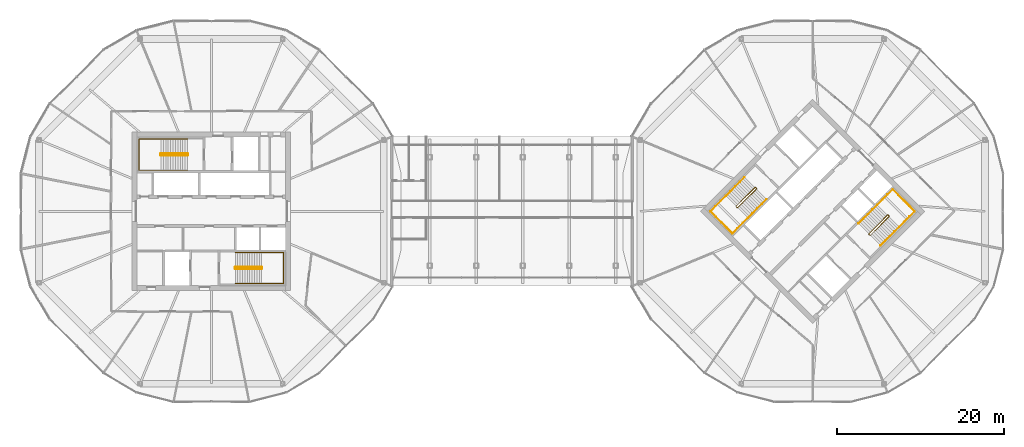
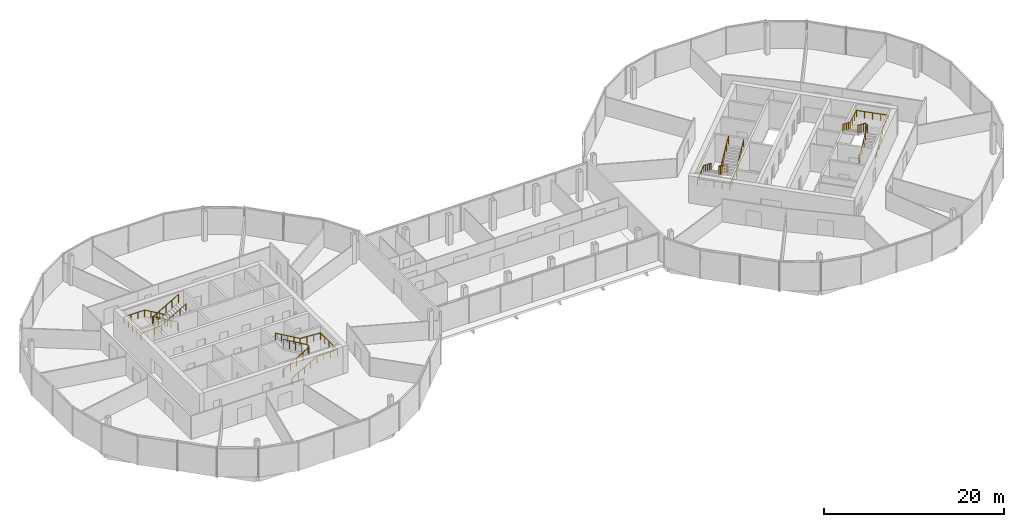
# One storey, part 25 of 25: 8 railings.
"""IFC4 building model written with IfcOpenShell, lengths in metres."""

from ifc_helpers import new_model, si_unit, direction, frame, origin, origin_2d, place, context, subcontext, project, spatial, circle, extrude, material, type_object, element, save


model = new_model("IFC4")

# Units and contexts
model_context = context("Model", 3, precision=1e-05, world=origin(), true_north=direction((0.0, 1.0)))
body_context = subcontext(model_context, "Body", "Model", "MODEL_VIEW")
ifc_project = project(units=[si_unit("LENGTHUNIT", "METRE"), si_unit("AREAUNIT", "SQUARE_METRE"), si_unit("VOLUMEUNIT", "CUBIC_METRE"), si_unit("PLANEANGLEUNIT", "RADIAN"), si_unit("MASSUNIT", "GRAM", prefix="KILO")], contexts=[model_context])

# Site, building, storey
site_placement = place(None, origin())
site = spatial("IfcSite", under=ifc_project, at=site_placement, CompositionType="ELEMENT")
building_placement = place(site_placement, origin())
building = spatial("IfcBuilding", under=site, at=building_placement, Name="Ogive Gate Towers", CompositionType="ELEMENT")
storey_placement = place(building_placement, frame((0.0, 0.0, 140.800048828125)))
storey = spatial("IfcBuildingStorey", under=building, at=storey_placement, Name="L33", CompositionType="ELEMENT", Elevation=140.800048828125)

# Railings
ifc_material = material(Name="Stainless steel", Category="steel")
railing_type_1 = type_object("IfcRailingType", Name="Stair guard 1100", PredefinedType="GUARDRAIL", material=ifc_material)
railing_1_placement = place(storey_placement, frame((-38.81494140625, 6.860107421875, 0.0)))
element("IfcRailing", 1, at=railing_1_placement, inside=storey, type_object=railing_type_1, Name="L33 ST1 stair guard 1", PredefinedType="GUARDRAIL", context=body_context, shape_type="SweptSolid", body=[
    extrude(circle(Radius=0.02392578125, at=origin_2d()), frame((0.0, 0.0, 1.076171875), z_axis=(0.0, -1.0, 0.0), x_axis=(1.0, 0.0, 0.0)), (0.0, 0.0, 1.0), 0.14501953125),
    extrude(circle(Radius=0.02392578125, at=origin_2d()), frame((0.0, -0.14501953125, 1.076171875), z_axis=(-0.19166807023, 0.746103024601, 0.637646945837), x_axis=(-0.968551454522, -0.24881334358, 0.0)), (0.0, 0.0, 1.0), 0.26123046875),
    extrude(circle(Radius=0.02392578125, at=origin_2d()), frame((-0.050048828125, 0.0498046875, 1.24267578125), z_axis=(-0.86512740231, 0.0, 0.501552168546), x_axis=(0.0, -1.0, 0.0)), (0.0, 0.0, 1.0), 3.65576171875),
    extrude(circle(Radius=0.02392578125, at=origin_2d()), frame((-3.212646484375, 0.0498046875, 3.076171875), z_axis=(-0.707106781187, -0.707106781187, 0.0), x_axis=(0.707106781187, -0.707106781187, 0.0)), (0.0, 0.0, 1.0), 0.0703125),
    extrude(circle(Radius=0.02392578125, at=origin_2d()), frame((-3.262451171875, 0.0, 3.076171875), z_axis=(0.0, -1.0, 0.0), x_axis=(1.0, 0.0, 0.0)), (0.0, 0.0, 1.0), 0.14501953125),
    extrude(circle(Radius=0.02392578125, at=origin_2d()), frame((-3.262451171875, -0.14501953125, 3.076171875), z_axis=(0.275382897532, -0.276732813696, 0.920642824102), x_axis=(0.708833529934, 0.705375805398, 0.0)), (0.0, 0.0, 1.0), 0.180908203125),
    extrude(circle(Radius=0.02392578125, at=origin_2d()), frame((-3.212646484375, -0.195068359375, 3.24267578125), z_axis=(0.86512740231, 0.0, 0.501552168546), x_axis=(0.0, 1.0, 0.0)), (0.0, 0.0, 1.0), 3.65576171875),
    extrude(circle(Radius=0.02099609375, at=origin_2d()), origin(), (0.0, 0.0, 1.0), 1.052001953125),
    extrude(circle(Radius=0.02099609375, at=origin_2d()), frame((0.0, -0.14501953125, 0.0)), (0.0, 0.0, 1.0), 1.052001953125),
    extrude(circle(Radius=0.02099609375, at=origin_2d()), frame((-0.050048828125, 0.0498046875, 0.16650390625)), (0.0, 0.0, 1.0), 1.052001953125),
    extrude(circle(Radius=0.02099609375, at=origin_2d()), frame((-0.8408203125, 0.0498046875, 0.625)), (0.0, 0.0, 1.0), 1.052001953125),
    extrude(circle(Radius=0.02099609375, at=origin_2d()), frame((-1.63134765625, 0.0498046875, 1.083251953125)), (0.0, 0.0, 1.0), 1.052001953125),
    extrude(circle(Radius=0.02099609375, at=origin_2d()), frame((-2.421875, 0.0498046875, 1.54150390625)), (0.0, 0.0, 1.0), 1.052001953125),
    extrude(circle(Radius=0.02099609375, at=origin_2d()), frame((-3.212646484375, 0.0498046875, 2.0)), (0.0, 0.0, 1.0), 1.052001953125),
    extrude(circle(Radius=0.02099609375, at=origin_2d()), frame((-3.262451171875, 0.0, 2.0)), (0.0, 0.0, 1.0), 1.052001953125),
    extrude(circle(Radius=0.02099609375, at=origin_2d()), frame((-3.262451171875, -0.14501953125, 2.0)), (0.0, 0.0, 1.0), 1.052001953125),
    extrude(circle(Radius=0.02099609375, at=origin_2d()), frame((-3.212646484375, -0.195068359375, 2.16650390625)), (0.0, 0.0, 1.0), 1.052001953125),
    extrude(circle(Radius=0.02099609375, at=origin_2d()), frame((-2.421875, -0.195068359375, 2.625)), (0.0, 0.0, 1.0), 1.052001953125),
    extrude(circle(Radius=0.02099609375, at=origin_2d()), frame((-1.63134765625, -0.195068359375, 3.083251953125)), (0.0, 0.0, 1.0), 1.052001953125),
    extrude(circle(Radius=0.02099609375, at=origin_2d()), frame((-0.8408203125, -0.195068359375, 3.54150390625)), (0.0, 0.0, 1.0), 1.052001953125),
    extrude(circle(Radius=0.02099609375, at=origin_2d()), frame((-0.050048828125, -0.195068359375, 4.0)), (0.0, 0.0, 1.0), 1.052001953125),
])
railing_2_placement = place(storey_placement, frame((-33.18505859375, -6.860107421875, 0.0)))
element("IfcRailing", 2, at=railing_2_placement, inside=storey, type_object=railing_type_1, Name="L33 ST2 stair guard 1", PredefinedType="GUARDRAIL", context=body_context, shape_type="SweptSolid", body=[
    extrude(circle(Radius=0.02392578125, at=origin_2d()), frame((0.0, 0.0, 1.076171875), z_axis=(0.0, 1.0, 0.0), x_axis=(-1.0, 0.0, 0.0)), (0.0, 0.0, 1.0), 0.14501953125),
    extrude(circle(Radius=0.02392578125, at=origin_2d()), frame((0.0, 0.14501953125, 1.076171875), z_axis=(0.19166807023, -0.746103024601, 0.637646945837), x_axis=(0.968551454522, 0.24881334358, 0.0)), (0.0, 0.0, 1.0), 0.26123046875),
    extrude(circle(Radius=0.02392578125, at=origin_2d()), frame((0.050048828125, -0.0498046875, 1.24267578125), z_axis=(0.86512740231, 0.0, 0.501552168546), x_axis=(0.0, 1.0, 0.0)), (0.0, 0.0, 1.0), 3.65576171875),
    extrude(circle(Radius=0.02392578125, at=origin_2d()), frame((3.212646484375, -0.0498046875, 3.076171875), z_axis=(0.707106781187, 0.707106781187, 0.0), x_axis=(-0.707106781187, 0.707106781187, 0.0)), (0.0, 0.0, 1.0), 0.0703125),
    extrude(circle(Radius=0.02392578125, at=origin_2d()), frame((3.262451171875, 0.0, 3.076171875), z_axis=(0.0, 1.0, 0.0), x_axis=(-1.0, 0.0, 0.0)), (0.0, 0.0, 1.0), 0.14501953125),
    extrude(circle(Radius=0.02392578125, at=origin_2d()), frame((3.262451171875, 0.14501953125, 3.076171875), z_axis=(-0.275382897532, 0.276732813696, 0.920642824102), x_axis=(-0.708833529934, -0.705375805398, 0.0)), (0.0, 0.0, 1.0), 0.180908203125),
    extrude(circle(Radius=0.02392578125, at=origin_2d()), frame((3.212646484375, 0.195068359375, 3.24267578125), z_axis=(-0.86512740231, 0.0, 0.501552168546), x_axis=(0.0, -1.0, 0.0)), (0.0, 0.0, 1.0), 3.65576171875),
    extrude(circle(Radius=0.02099609375, at=origin_2d()), origin(), (0.0, 0.0, 1.0), 1.052001953125),
    extrude(circle(Radius=0.02099609375, at=origin_2d()), frame((0.0, 0.14501953125, 0.0)), (0.0, 0.0, 1.0), 1.052001953125),
    extrude(circle(Radius=0.02099609375, at=origin_2d()), frame((0.050048828125, -0.0498046875, 0.16650390625)), (0.0, 0.0, 1.0), 1.052001953125),
    extrude(circle(Radius=0.02099609375, at=origin_2d()), frame((0.8408203125, -0.0498046875, 0.625)), (0.0, 0.0, 1.0), 1.052001953125),
    extrude(circle(Radius=0.02099609375, at=origin_2d()), frame((1.63134765625, -0.0498046875, 1.083251953125)), (0.0, 0.0, 1.0), 1.052001953125),
    extrude(circle(Radius=0.02099609375, at=origin_2d()), frame((2.421875, -0.0498046875, 1.54150390625)), (0.0, 0.0, 1.0), 1.052001953125),
    extrude(circle(Radius=0.02099609375, at=origin_2d()), frame((3.212646484375, -0.0498046875, 2.0)), (0.0, 0.0, 1.0), 1.052001953125),
    extrude(circle(Radius=0.02099609375, at=origin_2d()), frame((3.262451171875, 0.0, 2.0)), (0.0, 0.0, 1.0), 1.052001953125),
    extrude(circle(Radius=0.02099609375, at=origin_2d()), frame((3.262451171875, 0.14501953125, 2.0)), (0.0, 0.0, 1.0), 1.052001953125),
    extrude(circle(Radius=0.02099609375, at=origin_2d()), frame((3.212646484375, 0.195068359375, 2.16650390625)), (0.0, 0.0, 1.0), 1.052001953125),
    extrude(circle(Radius=0.02099609375, at=origin_2d()), frame((2.421875, 0.195068359375, 2.625)), (0.0, 0.0, 1.0), 1.052001953125),
    extrude(circle(Radius=0.02099609375, at=origin_2d()), frame((1.63134765625, 0.195068359375, 3.083251953125)), (0.0, 0.0, 1.0), 1.052001953125),
    extrude(circle(Radius=0.02099609375, at=origin_2d()), frame((0.8408203125, 0.195068359375, 3.54150390625)), (0.0, 0.0, 1.0), 1.052001953125),
    extrude(circle(Radius=0.02099609375, at=origin_2d()), frame((0.050048828125, 0.195068359375, 4.0)), (0.0, 0.0, 1.0), 1.052001953125),
])
railing_3_placement = place(storey_placement, frame((29.15869140625, 2.8603515625, 0.0)))
element("IfcRailing", 3, at=railing_3_placement, inside=storey, type_object=railing_type_1, Name="L33 ST1 stair guard 1", PredefinedType="GUARDRAIL", context=body_context, shape_type="SweptSolid", body=[
    extrude(circle(Radius=0.02392578125, at=origin_2d()), frame((0.0, 0.0, 1.076171875), z_axis=(0.707106781187, -0.707106781187, 0.0), x_axis=(0.707106781187, 0.707106781187, 0.0)), (0.0, 0.0, 1.0), 0.14501953125),
    extrude(circle(Radius=0.02392578125, at=origin_2d()), frame((0.1025390625, -0.1025390625, 1.076171875), z_axis=(-0.662818031471, 0.39264255743, 0.637576724208), x_axis=(-0.509669330572, -0.860370369942, 0.0)), (0.0, 0.0, 1.0), 0.26123046875),
    extrude(circle(Radius=0.02392578125, at=origin_2d()), frame((-0.070556640625, 0.0, 1.24267578125), z_axis=(-0.611739783828, -0.611739783828, 0.501546482156), x_axis=(0.707106781187, -0.707106781187, 0.0)), (0.0, 0.0, 1.0), 3.65576171875),
    extrude(circle(Radius=0.02392578125, at=origin_2d()), frame((-2.306884765625, -2.236328125, 3.076171875), z_axis=(0.0, -1.0, 0.0), x_axis=(1.0, 0.0, 0.0)), (0.0, 0.0, 1.0), 0.07080078125),
    extrude(circle(Radius=0.02392578125, at=origin_2d()), frame((-2.306884765625, -2.30712890625, 3.076171875), z_axis=(0.707106781187, -0.707106781187, 0.0), x_axis=(0.707106781187, 0.707106781187, 0.0)), (0.0, 0.0, 1.0), 0.14501953125),
    extrude(circle(Radius=0.02392578125, at=origin_2d()), frame((-2.204345703125, -2.40966796875, 3.076171875), z_axis=(0.391312070548, 0.0, 0.920258041771), x_axis=(0.0, 1.0, 0.0)), (0.0, 0.0, 1.0), 0.180908203125),
    extrude(circle(Radius=0.02392578125, at=origin_2d()), frame((-2.133544921875, -2.40966796875, 3.24267578125), z_axis=(0.61169798966, 0.611764776208, 0.501566972633), x_axis=(-0.707145379772, 0.707068180494, 0.0)), (0.0, 0.0, 1.0), 3.655517578125),
    extrude(circle(Radius=0.02099609375, at=origin_2d()), origin(), (0.0, 0.0, 1.0), 1.052001953125),
    extrude(circle(Radius=0.02099609375, at=origin_2d()), frame((0.1025390625, -0.1025390625, 0.0)), (0.0, 0.0, 1.0), 1.052001953125),
    extrude(circle(Radius=0.02099609375, at=origin_2d()), frame((-0.070556640625, 0.0, 0.16650390625)), (0.0, 0.0, 1.0), 1.052001953125),
    extrude(circle(Radius=0.02099609375, at=origin_2d()), frame((-0.629638671875, -0.55908203125, 0.625)), (0.0, 0.0, 1.0), 1.052001953125),
    extrude(circle(Radius=0.02099609375, at=origin_2d()), frame((-1.188720703125, -1.1181640625, 1.083251953125)), (0.0, 0.0, 1.0), 1.052001953125),
    extrude(circle(Radius=0.02099609375, at=origin_2d()), frame((-1.747802734375, -1.67724609375, 1.54150390625)), (0.0, 0.0, 1.0), 1.052001953125),
    extrude(circle(Radius=0.02099609375, at=origin_2d()), frame((-2.306884765625, -2.236328125, 2.0)), (0.0, 0.0, 1.0), 1.052001953125),
    extrude(circle(Radius=0.02099609375, at=origin_2d()), frame((-2.306884765625, -2.30712890625, 2.0)), (0.0, 0.0, 1.0), 1.052001953125),
    extrude(circle(Radius=0.02099609375, at=origin_2d()), frame((-2.204345703125, -2.40966796875, 2.0)), (0.0, 0.0, 1.0), 1.052001953125),
    extrude(circle(Radius=0.02099609375, at=origin_2d()), frame((-2.133544921875, -2.40966796875, 2.16650390625)), (0.0, 0.0, 1.0), 1.052001953125),
    extrude(circle(Radius=0.02099609375, at=origin_2d()), frame((-1.574462890625, -1.8505859375, 2.625)), (0.0, 0.0, 1.0), 1.052001953125),
    extrude(circle(Radius=0.02099609375, at=origin_2d()), frame((-1.015625, -1.29150390625, 3.083251953125)), (0.0, 0.0, 1.0), 1.052001953125),
    extrude(circle(Radius=0.02099609375, at=origin_2d()), frame((-0.45654296875, -0.732421875, 3.54150390625)), (0.0, 0.0, 1.0), 1.052001953125),
    extrude(circle(Radius=0.02099609375, at=origin_2d()), frame((0.1025390625, -0.17333984375, 4.0)), (0.0, 0.0, 1.0), 1.052001953125),
])
railing_4_placement = place(storey_placement, frame((42.84130859375, -2.8603515625, 0.0)))
element("IfcRailing", 4, at=railing_4_placement, inside=storey, type_object=railing_type_1, Name="L33 ST2 stair guard 1", PredefinedType="GUARDRAIL", context=body_context, shape_type="SweptSolid", body=[
    extrude(circle(Radius=0.02392578125, at=origin_2d()), frame((0.0, 0.0, 1.076171875), z_axis=(-0.707106781187, 0.707106781187, 0.0), x_axis=(-0.707106781187, -0.707106781187, 0.0)), (0.0, 0.0, 1.0), 0.14501953125),
    extrude(circle(Radius=0.02392578125, at=origin_2d()), frame((-0.1025390625, 0.1025390625, 1.076171875), z_axis=(0.662818031471, -0.39264255743, 0.637576724208), x_axis=(0.509669330572, 0.860370369942, 0.0)), (0.0, 0.0, 1.0), 0.26123046875),
    extrude(circle(Radius=0.02392578125, at=origin_2d()), frame((0.070556640625, 0.0, 1.24267578125), z_axis=(0.611739783828, 0.611739783828, 0.501546482156), x_axis=(-0.707106781187, 0.707106781187, 0.0)), (0.0, 0.0, 1.0), 3.65576171875),
    extrude(circle(Radius=0.02392578125, at=origin_2d()), frame((2.306884765625, 2.236328125, 3.076171875), z_axis=(0.0, 1.0, 0.0), x_axis=(-1.0, 0.0, 0.0)), (0.0, 0.0, 1.0), 0.07080078125),
    extrude(circle(Radius=0.02392578125, at=origin_2d()), frame((2.306884765625, 2.30712890625, 3.076171875), z_axis=(-0.707106781187, 0.707106781187, 0.0), x_axis=(-0.707106781187, -0.707106781187, 0.0)), (0.0, 0.0, 1.0), 0.14501953125),
    extrude(circle(Radius=0.02392578125, at=origin_2d()), frame((2.204345703125, 2.40966796875, 3.076171875), z_axis=(-0.391312070548, 0.0, 0.920258041771), x_axis=(0.0, -1.0, 0.0)), (0.0, 0.0, 1.0), 0.180908203125),
    extrude(circle(Radius=0.02392578125, at=origin_2d()), frame((2.133544921875, 2.40966796875, 3.24267578125), z_axis=(-0.61169798966, -0.611764776208, 0.501566972633), x_axis=(0.707145379772, -0.707068180494, 0.0)), (0.0, 0.0, 1.0), 3.655517578125),
    extrude(circle(Radius=0.02099609375, at=origin_2d()), origin(), (0.0, 0.0, 1.0), 1.052001953125),
    extrude(circle(Radius=0.02099609375, at=origin_2d()), frame((-0.1025390625, 0.1025390625, 0.0)), (0.0, 0.0, 1.0), 1.052001953125),
    extrude(circle(Radius=0.02099609375, at=origin_2d()), frame((0.070556640625, 0.0, 0.16650390625)), (0.0, 0.0, 1.0), 1.052001953125),
    extrude(circle(Radius=0.02099609375, at=origin_2d()), frame((0.629638671875, 0.55908203125, 0.625)), (0.0, 0.0, 1.0), 1.052001953125),
    extrude(circle(Radius=0.02099609375, at=origin_2d()), frame((1.188720703125, 1.1181640625, 1.083251953125)), (0.0, 0.0, 1.0), 1.052001953125),
    extrude(circle(Radius=0.02099609375, at=origin_2d()), frame((1.747802734375, 1.67724609375, 1.54150390625)), (0.0, 0.0, 1.0), 1.052001953125),
    extrude(circle(Radius=0.02099609375, at=origin_2d()), frame((2.306884765625, 2.236328125, 2.0)), (0.0, 0.0, 1.0), 1.052001953125),
    extrude(circle(Radius=0.02099609375, at=origin_2d()), frame((2.306884765625, 2.30712890625, 2.0)), (0.0, 0.0, 1.0), 1.052001953125),
    extrude(circle(Radius=0.02099609375, at=origin_2d()), frame((2.204345703125, 2.40966796875, 2.0)), (0.0, 0.0, 1.0), 1.052001953125),
    extrude(circle(Radius=0.02099609375, at=origin_2d()), frame((2.133544921875, 2.40966796875, 2.16650390625)), (0.0, 0.0, 1.0), 1.052001953125),
    extrude(circle(Radius=0.02099609375, at=origin_2d()), frame((1.574462890625, 1.8505859375, 2.625)), (0.0, 0.0, 1.0), 1.052001953125),
    extrude(circle(Radius=0.02099609375, at=origin_2d()), frame((1.015625, 1.29150390625, 3.083251953125)), (0.0, 0.0, 1.0), 1.052001953125),
    extrude(circle(Radius=0.02099609375, at=origin_2d()), frame((0.45654296875, 0.732421875, 3.54150390625)), (0.0, 0.0, 1.0), 1.052001953125),
    extrude(circle(Radius=0.02099609375, at=origin_2d()), frame((-0.1025390625, 0.17333984375, 4.0)), (0.0, 0.0, 1.0), 1.052001953125),
])
railing_type_2 = type_object("IfcRailingType", Name="Stair handrail 900", PredefinedType="HANDRAIL", material=ifc_material)
railing_5_placement = place(storey_placement, frame((-38.864990234375, 8.64990234375, 0.16650390625)))
element("IfcRailing", 5, at=railing_5_placement, inside=storey, type_object=railing_type_2, Name="L33 ST1 stair handrail 1", PredefinedType="HANDRAIL", context=body_context, shape_type="SweptSolid", body=[
    extrude(circle(Radius=0.02392578125, at=origin_2d()), frame((0.0, 0.0, 0.8759765625), z_axis=(-0.86512740231, 0.0, 0.501552168546), x_axis=(0.0, -1.0, 0.0)), (0.0, 0.0, 1.0), 3.65576171875),
    extrude(circle(Radius=0.02392578125, at=origin_2d()), frame((-3.16259765625, 0.0, 2.70947265625), z_axis=(-1.0, 0.0, 0.0), x_axis=(0.0, -1.0, 0.0)), (0.0, 0.0, 1.0), 2.622314453125),
    extrude(circle(Radius=0.02392578125, at=origin_2d()), frame((-5.784912109375, 0.0, 2.70947265625), z_axis=(0.0, -1.0, 0.0), x_axis=(1.0, 0.0, 0.0)), (0.0, 0.0, 1.0), 3.724853515625),
    extrude(circle(Radius=0.02392578125, at=origin_2d()), frame((-5.784912109375, -3.724853515625, 2.70947265625), z_axis=(0.997990266097, 0.0, 0.063367410993), x_axis=(0.0, 1.0, 0.0)), (0.0, 0.0, 1.0), 2.627685546875),
    extrude(circle(Radius=0.02392578125, at=origin_2d()), frame((-3.16259765625, -3.724853515625, 2.8759765625), z_axis=(0.86512740231, 0.0, 0.501552168546), x_axis=(0.0, 1.0, 0.0)), (0.0, 0.0, 1.0), 3.65576171875),
    extrude(circle(Radius=0.02099609375, at=origin_2d()), origin(), (0.0, 0.0, 1.0), 0.851806640625),
    extrude(circle(Radius=0.02099609375, at=origin_2d()), frame((-0.79052734375, 0.0, 0.45849609375)), (0.0, 0.0, 1.0), 0.851806640625),
    extrude(circle(Radius=0.02099609375, at=origin_2d()), frame((-1.581298828125, 0.0, 0.916748046875)), (0.0, 0.0, 1.0), 0.851806640625),
    extrude(circle(Radius=0.02099609375, at=origin_2d()), frame((-2.3720703125, 0.0, 1.375)), (0.0, 0.0, 1.0), 0.851806640625),
    extrude(circle(Radius=0.02099609375, at=origin_2d()), frame((-3.16259765625, 0.0, 1.83349609375)), (0.0, 0.0, 1.0), 0.851806640625),
    extrude(circle(Radius=0.02099609375, at=origin_2d()), frame((-4.03662109375, 0.0, 1.83349609375)), (0.0, 0.0, 1.0), 0.851806640625),
    extrude(circle(Radius=0.02099609375, at=origin_2d()), frame((-4.910888671875, 0.0, 1.83349609375)), (0.0, 0.0, 1.0), 0.851806640625),
    extrude(circle(Radius=0.02099609375, at=origin_2d()), frame((-5.784912109375, 0.0, 1.83349609375)), (0.0, 0.0, 1.0), 0.851806640625),
    extrude(circle(Radius=0.02099609375, at=origin_2d()), frame((-5.784912109375, -0.93115234375, 1.83349609375)), (0.0, 0.0, 1.0), 0.851806640625),
    extrude(circle(Radius=0.02099609375, at=origin_2d()), frame((-5.784912109375, -1.8623046875, 1.83349609375)), (0.0, 0.0, 1.0), 0.851806640625),
    extrude(circle(Radius=0.02099609375, at=origin_2d()), frame((-5.784912109375, -2.793701171875, 1.83349609375)), (0.0, 0.0, 1.0), 0.851806640625),
    extrude(circle(Radius=0.02099609375, at=origin_2d()), frame((-5.784912109375, -3.724853515625, 1.83349609375)), (0.0, 0.0, 1.0), 0.851806640625),
    extrude(circle(Radius=0.02099609375, at=origin_2d()), frame((-4.910888671875, -3.724853515625, 1.888916015625)), (0.0, 0.0, 1.0), 0.851806640625),
    extrude(circle(Radius=0.02099609375, at=origin_2d()), frame((-4.03662109375, -3.724853515625, 1.944580078125)), (0.0, 0.0, 1.0), 0.851806640625),
    extrude(circle(Radius=0.02099609375, at=origin_2d()), frame((-3.16259765625, -3.724853515625, 2.0)), (0.0, 0.0, 1.0), 0.851806640625),
    extrude(circle(Radius=0.02099609375, at=origin_2d()), frame((-2.3720703125, -3.724853515625, 2.45849609375)), (0.0, 0.0, 1.0), 0.851806640625),
    extrude(circle(Radius=0.02099609375, at=origin_2d()), frame((-1.581298828125, -3.724853515625, 2.916748046875)), (0.0, 0.0, 1.0), 0.851806640625),
    extrude(circle(Radius=0.02099609375, at=origin_2d()), frame((-0.79052734375, -3.724853515625, 3.375)), (0.0, 0.0, 1.0), 0.851806640625),
    extrude(circle(Radius=0.02099609375, at=origin_2d()), frame((0.0, -3.724853515625, 3.83349609375)), (0.0, 0.0, 1.0), 0.851806640625),
])
railing_6_placement = place(storey_placement, frame((-33.135009765625, -8.64990234375, 0.16650390625)))
element("IfcRailing", 6, at=railing_6_placement, inside=storey, type_object=railing_type_2, Name="L33 ST2 stair handrail 1", PredefinedType="HANDRAIL", context=body_context, shape_type="SweptSolid", body=[
    extrude(circle(Radius=0.02392578125, at=origin_2d()), frame((0.0, 0.0, 0.8759765625), z_axis=(0.86512740231, 0.0, 0.501552168546), x_axis=(0.0, 1.0, 0.0)), (0.0, 0.0, 1.0), 3.65576171875),
    extrude(circle(Radius=0.02392578125, at=origin_2d()), frame((3.16259765625, 0.0, 2.70947265625), z_axis=(1.0, 0.0, 0.0), x_axis=(0.0, 1.0, 0.0)), (0.0, 0.0, 1.0), 2.622314453125),
    extrude(circle(Radius=0.02392578125, at=origin_2d()), frame((5.784912109375, 0.0, 2.70947265625), z_axis=(0.0, 1.0, 0.0), x_axis=(-1.0, 0.0, 0.0)), (0.0, 0.0, 1.0), 3.724853515625),
    extrude(circle(Radius=0.02392578125, at=origin_2d()), frame((5.784912109375, 3.724853515625, 2.70947265625), z_axis=(-0.997990266097, 0.0, 0.063367410993), x_axis=(0.0, -1.0, 0.0)), (0.0, 0.0, 1.0), 2.627685546875),
    extrude(circle(Radius=0.02392578125, at=origin_2d()), frame((3.16259765625, 3.724853515625, 2.8759765625), z_axis=(-0.86512740231, 0.0, 0.501552168546), x_axis=(0.0, -1.0, 0.0)), (0.0, 0.0, 1.0), 3.65576171875),
    extrude(circle(Radius=0.02099609375, at=origin_2d()), origin(), (0.0, 0.0, 1.0), 0.851806640625),
    extrude(circle(Radius=0.02099609375, at=origin_2d()), frame((0.79052734375, 0.0, 0.45849609375)), (0.0, 0.0, 1.0), 0.851806640625),
    extrude(circle(Radius=0.02099609375, at=origin_2d()), frame((1.581298828125, 0.0, 0.916748046875)), (0.0, 0.0, 1.0), 0.851806640625),
    extrude(circle(Radius=0.02099609375, at=origin_2d()), frame((2.3720703125, 0.0, 1.375)), (0.0, 0.0, 1.0), 0.851806640625),
    extrude(circle(Radius=0.02099609375, at=origin_2d()), frame((3.16259765625, 0.0, 1.83349609375)), (0.0, 0.0, 1.0), 0.851806640625),
    extrude(circle(Radius=0.02099609375, at=origin_2d()), frame((4.03662109375, 0.0, 1.83349609375)), (0.0, 0.0, 1.0), 0.851806640625),
    extrude(circle(Radius=0.02099609375, at=origin_2d()), frame((4.910888671875, 0.0, 1.83349609375)), (0.0, 0.0, 1.0), 0.851806640625),
    extrude(circle(Radius=0.02099609375, at=origin_2d()), frame((5.784912109375, 0.0, 1.83349609375)), (0.0, 0.0, 1.0), 0.851806640625),
    extrude(circle(Radius=0.02099609375, at=origin_2d()), frame((5.784912109375, 0.93115234375, 1.83349609375)), (0.0, 0.0, 1.0), 0.851806640625),
    extrude(circle(Radius=0.02099609375, at=origin_2d()), frame((5.784912109375, 1.8623046875, 1.83349609375)), (0.0, 0.0, 1.0), 0.851806640625),
    extrude(circle(Radius=0.02099609375, at=origin_2d()), frame((5.784912109375, 2.793701171875, 1.83349609375)), (0.0, 0.0, 1.0), 0.851806640625),
    extrude(circle(Radius=0.02099609375, at=origin_2d()), frame((5.784912109375, 3.724853515625, 1.83349609375)), (0.0, 0.0, 1.0), 0.851806640625),
    extrude(circle(Radius=0.02099609375, at=origin_2d()), frame((4.910888671875, 3.724853515625, 1.888916015625)), (0.0, 0.0, 1.0), 0.851806640625),
    extrude(circle(Radius=0.02099609375, at=origin_2d()), frame((4.03662109375, 3.724853515625, 1.944580078125)), (0.0, 0.0, 1.0), 0.851806640625),
    extrude(circle(Radius=0.02099609375, at=origin_2d()), frame((3.16259765625, 3.724853515625, 2.0)), (0.0, 0.0, 1.0), 0.851806640625),
    extrude(circle(Radius=0.02099609375, at=origin_2d()), frame((2.3720703125, 3.724853515625, 2.45849609375)), (0.0, 0.0, 1.0), 0.851806640625),
    extrude(circle(Radius=0.02099609375, at=origin_2d()), frame((1.581298828125, 3.724853515625, 2.916748046875)), (0.0, 0.0, 1.0), 0.851806640625),
    extrude(circle(Radius=0.02099609375, at=origin_2d()), frame((0.79052734375, 3.724853515625, 3.375)), (0.0, 0.0, 1.0), 0.851806640625),
    extrude(circle(Radius=0.02099609375, at=origin_2d()), frame((0.0, 3.724853515625, 3.83349609375)), (0.0, 0.0, 1.0), 0.851806640625),
])
railing_7_placement = place(storey_placement, frame((27.857666015625, 4.090576171875, 0.16650390625)))
element("IfcRailing", 7, at=railing_7_placement, inside=storey, type_object=railing_type_2, Name="L33 ST1 stair handrail 1", PredefinedType="HANDRAIL", context=body_context, shape_type="SweptSolid", body=[
    extrude(circle(Radius=0.02392578125, at=origin_2d()), frame((0.0, 0.0, 0.8759765625), z_axis=(-0.611764776208, -0.61169798966, 0.501566972633), x_axis=(0.707068180494, -0.707145379772, 0.0)), (0.0, 0.0, 1.0), 3.655517578125),
    extrude(circle(Radius=0.02392578125, at=origin_2d()), frame((-2.236328125, -2.236083984375, 2.70947265625), z_axis=(-0.70706023191, -0.707153327399, 0.0), x_axis=(0.707153327399, -0.70706023191, 0.0)), (0.0, 0.0, 1.0), 2.62255859375),
    extrude(circle(Radius=0.02392578125, at=origin_2d()), frame((-4.090576171875, -4.090576171875, 2.70947265625), z_axis=(0.707106781187, -0.707106781187, 0.0), x_axis=(0.707106781187, 0.707106781187, 0.0)), (0.0, 0.0, 1.0), 3.72509765625),
    extrude(circle(Radius=0.02392578125, at=origin_2d()), frame((-1.45654296875, -6.724609375, 2.70947265625), z_axis=(0.705639402853, 0.705732311267, 0.063363538215), x_axis=(-0.707153327399, 0.70706023191, 0.0)), (0.0, 0.0, 1.0), 2.627685546875),
    extrude(circle(Radius=0.02392578125, at=origin_2d()), frame((0.397705078125, -4.8701171875, 2.8759765625), z_axis=(0.611764776208, 0.61169798966, 0.501566972633), x_axis=(-0.707068180494, 0.707145379772, 0.0)), (0.0, 0.0, 1.0), 3.655517578125),
    extrude(circle(Radius=0.02099609375, at=origin_2d()), origin(), (0.0, 0.0, 1.0), 0.851806640625),
    extrude(circle(Radius=0.02099609375, at=origin_2d()), frame((-0.55908203125, -0.55908203125, 0.45849609375)), (0.0, 0.0, 1.0), 0.851806640625),
    extrude(circle(Radius=0.02099609375, at=origin_2d()), frame((-1.1181640625, -1.1181640625, 0.916748046875)), (0.0, 0.0, 1.0), 0.851806640625),
    extrude(circle(Radius=0.02099609375, at=origin_2d()), frame((-1.67724609375, -1.677001953125, 1.375)), (0.0, 0.0, 1.0), 0.851806640625),
    extrude(circle(Radius=0.02099609375, at=origin_2d()), frame((-2.236328125, -2.236083984375, 1.83349609375)), (0.0, 0.0, 1.0), 0.851806640625),
    extrude(circle(Radius=0.02099609375, at=origin_2d()), frame((-2.8544921875, -2.854248046875, 1.83349609375)), (0.0, 0.0, 1.0), 0.851806640625),
    extrude(circle(Radius=0.02099609375, at=origin_2d()), frame((-3.472412109375, -3.472412109375, 1.83349609375)), (0.0, 0.0, 1.0), 0.851806640625),
    extrude(circle(Radius=0.02099609375, at=origin_2d()), frame((-4.090576171875, -4.090576171875, 1.83349609375)), (0.0, 0.0, 1.0), 0.851806640625),
    extrude(circle(Radius=0.02099609375, at=origin_2d()), frame((-3.43212890625, -4.7490234375, 1.83349609375)), (0.0, 0.0, 1.0), 0.851806640625),
    extrude(circle(Radius=0.02099609375, at=origin_2d()), frame((-2.7734375, -5.40771484375, 1.83349609375)), (0.0, 0.0, 1.0), 0.851806640625),
    extrude(circle(Radius=0.02099609375, at=origin_2d()), frame((-2.114990234375, -6.066162109375, 1.83349609375)), (0.0, 0.0, 1.0), 0.851806640625),
    extrude(circle(Radius=0.02099609375, at=origin_2d()), frame((-1.45654296875, -6.724609375, 1.83349609375)), (0.0, 0.0, 1.0), 0.851806640625),
    extrude(circle(Radius=0.02099609375, at=origin_2d()), frame((-0.83837890625, -6.1064453125, 1.888916015625)), (0.0, 0.0, 1.0), 0.851806640625),
    extrude(circle(Radius=0.02099609375, at=origin_2d()), frame((-0.220458984375, -5.48828125, 1.944580078125)), (0.0, 0.0, 1.0), 0.851806640625),
    extrude(circle(Radius=0.02099609375, at=origin_2d()), frame((0.397705078125, -4.8701171875, 2.0)), (0.0, 0.0, 1.0), 0.851806640625),
    extrude(circle(Radius=0.02099609375, at=origin_2d()), frame((0.956787109375, -4.31103515625, 2.45849609375)), (0.0, 0.0, 1.0), 0.851806640625),
    extrude(circle(Radius=0.02099609375, at=origin_2d()), frame((1.515869140625, -3.751953125, 2.916748046875)), (0.0, 0.0, 1.0), 0.851806640625),
    extrude(circle(Radius=0.02099609375, at=origin_2d()), frame((2.074951171875, -3.193115234375, 3.375)), (0.0, 0.0, 1.0), 0.851806640625),
    extrude(circle(Radius=0.02099609375, at=origin_2d()), frame((2.634033203125, -2.634033203125, 3.83349609375)), (0.0, 0.0, 1.0), 0.851806640625),
])
railing_8_placement = place(storey_placement, frame((44.142333984375, -4.090576171875, 0.16650390625)))
element("IfcRailing", 8, at=railing_8_placement, inside=storey, type_object=railing_type_2, Name="L33 ST2 stair handrail 1", PredefinedType="HANDRAIL", context=body_context, shape_type="SweptSolid", body=[
    extrude(circle(Radius=0.02392578125, at=origin_2d()), frame((0.0, 0.0, 0.8759765625), z_axis=(0.611764776208, 0.61169798966, 0.501566972633), x_axis=(-0.707068180494, 0.707145379772, 0.0)), (0.0, 0.0, 1.0), 3.655517578125),
    extrude(circle(Radius=0.02392578125, at=origin_2d()), frame((2.236328125, 2.236083984375, 2.70947265625), z_axis=(0.70706023191, 0.707153327399, 0.0), x_axis=(-0.707153327399, 0.70706023191, 0.0)), (0.0, 0.0, 1.0), 2.62255859375),
    extrude(circle(Radius=0.02392578125, at=origin_2d()), frame((4.090576171875, 4.090576171875, 2.70947265625), z_axis=(-0.707106781187, 0.707106781187, 0.0), x_axis=(-0.707106781187, -0.707106781187, 0.0)), (0.0, 0.0, 1.0), 3.72509765625),
    extrude(circle(Radius=0.02392578125, at=origin_2d()), frame((1.45654296875, 6.724609375, 2.70947265625), z_axis=(-0.705639402853, -0.705732311267, 0.063363538215), x_axis=(0.707153327399, -0.70706023191, 0.0)), (0.0, 0.0, 1.0), 2.627685546875),
    extrude(circle(Radius=0.02392578125, at=origin_2d()), frame((-0.397705078125, 4.8701171875, 2.8759765625), z_axis=(-0.611764776208, -0.61169798966, 0.501566972633), x_axis=(0.707068180494, -0.707145379772, 0.0)), (0.0, 0.0, 1.0), 3.655517578125),
    extrude(circle(Radius=0.02099609375, at=origin_2d()), origin(), (0.0, 0.0, 1.0), 0.851806640625),
    extrude(circle(Radius=0.02099609375, at=origin_2d()), frame((0.55908203125, 0.55908203125, 0.45849609375)), (0.0, 0.0, 1.0), 0.851806640625),
    extrude(circle(Radius=0.02099609375, at=origin_2d()), frame((1.1181640625, 1.1181640625, 0.916748046875)), (0.0, 0.0, 1.0), 0.851806640625),
    extrude(circle(Radius=0.02099609375, at=origin_2d()), frame((1.67724609375, 1.677001953125, 1.375)), (0.0, 0.0, 1.0), 0.851806640625),
    extrude(circle(Radius=0.02099609375, at=origin_2d()), frame((2.236328125, 2.236083984375, 1.83349609375)), (0.0, 0.0, 1.0), 0.851806640625),
    extrude(circle(Radius=0.02099609375, at=origin_2d()), frame((2.8544921875, 2.854248046875, 1.83349609375)), (0.0, 0.0, 1.0), 0.851806640625),
    extrude(circle(Radius=0.02099609375, at=origin_2d()), frame((3.472412109375, 3.472412109375, 1.83349609375)), (0.0, 0.0, 1.0), 0.851806640625),
    extrude(circle(Radius=0.02099609375, at=origin_2d()), frame((4.090576171875, 4.090576171875, 1.83349609375)), (0.0, 0.0, 1.0), 0.851806640625),
    extrude(circle(Radius=0.02099609375, at=origin_2d()), frame((3.43212890625, 4.7490234375, 1.83349609375)), (0.0, 0.0, 1.0), 0.851806640625),
    extrude(circle(Radius=0.02099609375, at=origin_2d()), frame((2.7734375, 5.40771484375, 1.83349609375)), (0.0, 0.0, 1.0), 0.851806640625),
    extrude(circle(Radius=0.02099609375, at=origin_2d()), frame((2.114990234375, 6.066162109375, 1.83349609375)), (0.0, 0.0, 1.0), 0.851806640625),
    extrude(circle(Radius=0.02099609375, at=origin_2d()), frame((1.45654296875, 6.724609375, 1.83349609375)), (0.0, 0.0, 1.0), 0.851806640625),
    extrude(circle(Radius=0.02099609375, at=origin_2d()), frame((0.83837890625, 6.1064453125, 1.888916015625)), (0.0, 0.0, 1.0), 0.851806640625),
    extrude(circle(Radius=0.02099609375, at=origin_2d()), frame((0.220458984375, 5.48828125, 1.944580078125)), (0.0, 0.0, 1.0), 0.851806640625),
    extrude(circle(Radius=0.02099609375, at=origin_2d()), frame((-0.397705078125, 4.8701171875, 2.0)), (0.0, 0.0, 1.0), 0.851806640625),
    extrude(circle(Radius=0.02099609375, at=origin_2d()), frame((-0.956787109375, 4.31103515625, 2.45849609375)), (0.0, 0.0, 1.0), 0.851806640625),
    extrude(circle(Radius=0.02099609375, at=origin_2d()), frame((-1.515869140625, 3.751953125, 2.916748046875)), (0.0, 0.0, 1.0), 0.851806640625),
    extrude(circle(Radius=0.02099609375, at=origin_2d()), frame((-2.074951171875, 3.193115234375, 3.375)), (0.0, 0.0, 1.0), 0.851806640625),
    extrude(circle(Radius=0.02099609375, at=origin_2d()), frame((-2.634033203125, 2.634033203125, 3.83349609375)), (0.0, 0.0, 1.0), 0.851806640625),
])

save(model, "model.ifc")
